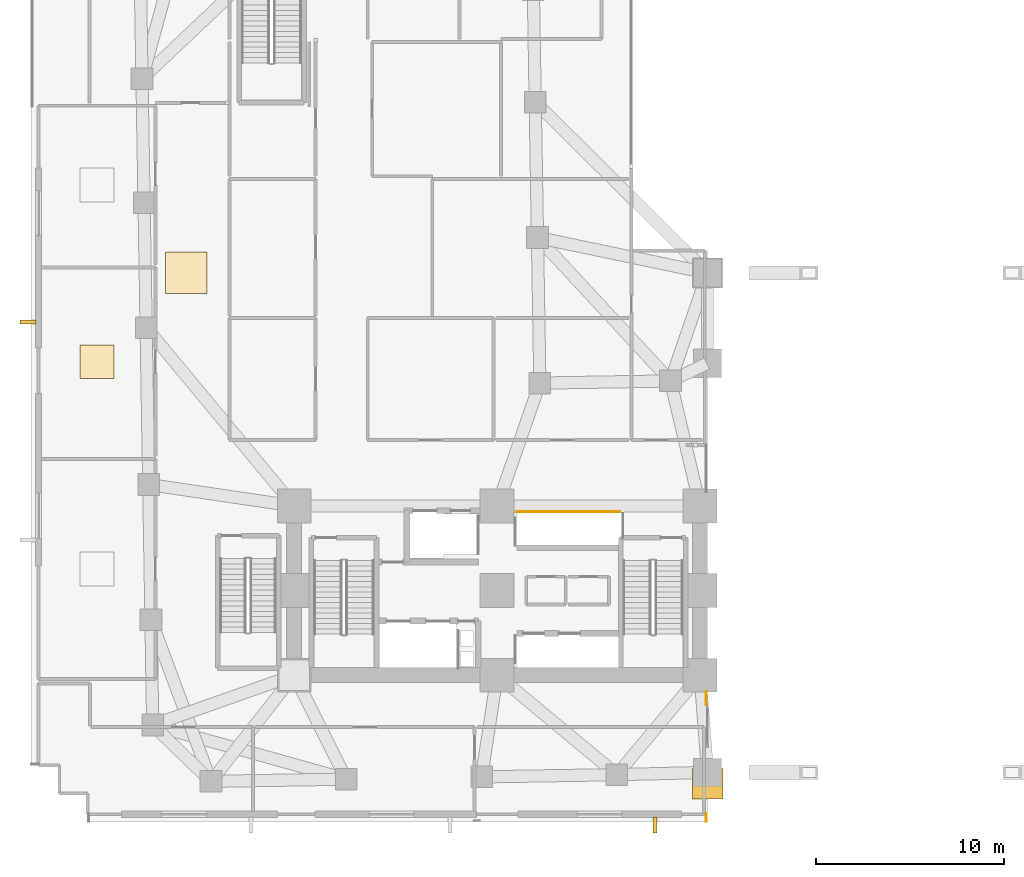
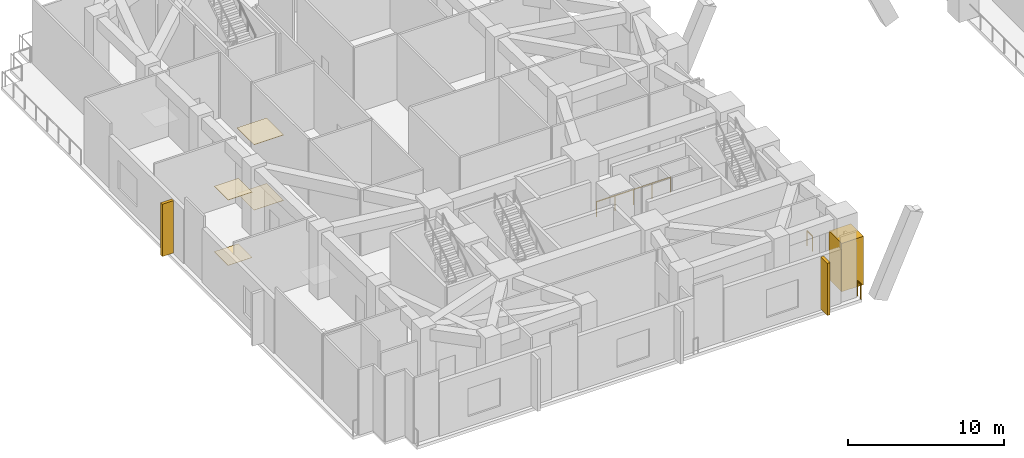
# One storey, part 14 of 18: 5 coverings, 3 railings, 2 shading devices.
"""IFC4 building model written with IfcOpenShell, lengths in metres."""

from ifc_helpers import new_model, si_unit, direction, frame, origin, origin_2d, place, context, subcontext, project, spatial, rectangle, circle, extrude, material, layer, layer_set, type_object, element, save


model = new_model("IFC4")

# Units and contexts
model_context = context("Model", 3, precision=1e-05, world=origin(), true_north=direction((0.0, 1.0)))
body_context = subcontext(model_context, "Body", "Model", "MODEL_VIEW")
ifc_project = project(units=[si_unit("LENGTHUNIT", "METRE"), si_unit("AREAUNIT", "SQUARE_METRE"), si_unit("VOLUMEUNIT", "CUBIC_METRE"), si_unit("PLANEANGLEUNIT", "RADIAN"), si_unit("MASSUNIT", "GRAM", prefix="KILO")], contexts=[model_context])

# Site, building, storey
site_placement = place(None, origin())
site = spatial("IfcSite", under=ifc_project, at=site_placement, CompositionType="ELEMENT")
building_placement = place(site_placement, origin())
building = spatial("IfcBuilding", under=site, at=building_placement, Name="Gaonmaruhae Medical Tower", CompositionType="ELEMENT")
storey_placement = place(building_placement, frame((0.0, 0.0, 16.199951171875)))
storey = spatial("IfcBuildingStorey", under=building, at=storey_placement, Name="L03", CompositionType="ELEMENT", Elevation=16.199951171875)

# Coverings
ifc_material_1 = material(Name="Architectural precast column cladding", Category="concrete")
ifc_layer_1 = layer(ifc_material_1, 0.06005859375)
ifc_layer_set_1 = layer_set([ifc_layer_1], Name="Architectural precast column cladding")
covering_type_1 = type_object("IfcCoveringType", Name="CLD-01 Architectural Precast Pier Cladding", PredefinedType="CLADDING", material=ifc_layer_set_1)
covering_1_placement = place(storey_placement, frame((36.0, 2.02001953125, 0.10009765625), z_axis=(0.0, 0.0, 1.0), x_axis=(1.0, 0.0, 0.0)))
element("IfcCovering", 1, at=covering_1_placement, inside=storey, type_object=covering_type_1, Name="L03 Architectural Precast Column Cladding 1", PredefinedType="CLADDING", context=body_context, shape_type="SweptSolid", body=[
    extrude(rectangle(XDim=1.6201171875, YDim=1.6201171875, at=origin_2d()), origin(), (0.0, 0.0, 1.0), 3.800048828125),
])
ifc_material_2 = material(Name="Acoustic mineral ceiling tile", Category="finish")
ifc_layer_2 = layer(ifc_material_2, 0.02490234375)
ifc_layer_set_2 = layer_set([ifc_layer_2], Name="Acoustic mineral ceiling tile")
covering_type_2 = type_object("IfcCoveringType", Name="CLG-01 Antimicrobial Acoustic Mineral Ceiling", PredefinedType="CEILING", material=ifc_layer_set_2)
covering_2_placement = place(storey_placement, frame((8.25, 29.205078125, 5.125), z_axis=(0.0, 0.0, 1.0), x_axis=(1.0, 0.0, 0.0)))
element("IfcCovering", 2, at=covering_2_placement, inside=storey, type_object=covering_type_2, Name="L03 Clinical Corridor Acoustic Ceiling", PredefinedType="CEILING", context=body_context, shape_type="SweptSolid", body=[
    extrude(rectangle(XDim=2.199951171875, YDim=2.199951171875, at=origin_2d()), origin(), (0.0, 0.0, 1.0), 0.02490234375),
])
covering_3_placement = place(storey_placement, frame((3.510009765625, 24.47509765625, 5.125), z_axis=(0.0, 0.0, 1.0), x_axis=(1.0, 0.0, 0.0)))
element("IfcCovering", 3, at=covering_3_placement, inside=storey, type_object=covering_type_2, Name="L03 Clinical Room Acoustic Ceiling 3", PredefinedType="CEILING", context=body_context, shape_type="SweptSolid", body=[
    extrude(rectangle(XDim=1.800048828125, YDim=1.800048828125, at=origin_2d()), origin(), (0.0, 0.0, 1.0), 0.02490234375),
])
ifc_material_3 = material(Name="Seamless clinical vinyl flooring", Category="finish")
ifc_layer_3 = layer(ifc_material_3, 0.014892578125)
ifc_layer_set_3 = layer_set([ifc_layer_3], Name="Seamless clinical vinyl flooring")
covering_type_3 = type_object("IfcCoveringType", Name="FLR-01 Seamless Clinical Antistatic Vinyl Flooring", PredefinedType="FLOORING", material=ifc_layer_set_3)
covering_4_placement = place(storey_placement, frame((8.25, 29.205078125, 0.00048828125), z_axis=(0.0, 0.0, 1.0), x_axis=(1.0, 0.0, 0.0)))
element("IfcCovering", 4, at=covering_4_placement, inside=storey, type_object=covering_type_3, Name="L03 Clinical Corridor Vinyl Flooring", PredefinedType="FLOORING", context=body_context, shape_type="SweptSolid", body=[
    extrude(rectangle(XDim=2.199951171875, YDim=2.199951171875, at=origin_2d()), origin(), (0.0, 0.0, 1.0), 0.014892578125),
])
covering_5_placement = place(storey_placement, frame((3.510009765625, 24.47509765625, 0.0), z_axis=(0.0, 0.0, 1.0), x_axis=(1.0, 0.0, 0.0)))
element("IfcCovering", 5, at=covering_5_placement, inside=storey, type_object=covering_type_3, Name="L03 Clinical Room Vinyl Flooring 3", PredefinedType="FLOORING", context=body_context, shape_type="SweptSolid", body=[
    extrude(rectangle(XDim=1.800048828125, YDim=1.800048828125, at=origin_2d()), origin(), (0.0, 0.0, 1.0), 0.014892578125),
])

# Railings
ifc_material_4 = material(Name="Stainless steel 316L and laminated safety glass", Category="steel")
ifc_layer_4 = layer(ifc_material_4, 0.080078125)
ifc_layer_set_4 = layer_set([ifc_layer_4], Name="Stainless steel 316L and laminated safety glass")
railing_type_1 = type_object("IfcRailingType", Name="GD-120 Outdoor Terrace Safety Glass & Steel Balustrade", PredefinedType="BALUSTRADE", material=ifc_layer_set_4)
railing_1_placement = place(storey_placement, frame((35.929931640625, 6.91552734375, 0.0)))
element("IfcRailing", 6, at=railing_1_placement, inside=storey, type_object=railing_type_1, Name="L03 Perimeter Slab Edge Safety Balustrade 14", PredefinedType="BALUSTRADE", context=body_context, shape_type="SweptSolid", body=[
    extrude(circle(Radius=0.02392578125, at=origin_2d()), frame((0.0, 0.0, 1.17578125), z_axis=(0.0, -1.0, 0.0), x_axis=(1.0, 0.0, 0.0)), (0.0, 0.0, 1.0), 0.69970703125),
    extrude(circle(Radius=0.02099609375, at=origin_2d()), origin(), (0.0, 0.0, 1.0), 1.15185546875),
    extrude(circle(Radius=0.02099609375, at=origin_2d()), frame((0.0, -0.69970703125, 0.0)), (0.0, 0.0, 1.0), 1.15185546875),
])
railing_2_placement = place(storey_placement, frame((35.929931640625, 0.439697265625, 0.0)))
element("IfcRailing", 7, at=railing_2_placement, inside=storey, type_object=railing_type_1, Name="L03 Perimeter Slab Edge Safety Balustrade 15", PredefinedType="BALUSTRADE", context=body_context, shape_type="SweptSolid", body=[
    extrude(circle(Radius=0.02392578125, at=origin_2d()), frame((0.0, 0.0, 1.17578125), z_axis=(0.0, -1.0, 0.0), x_axis=(1.0, 0.0, 0.0)), (0.0, 0.0, 1.0), 0.419677734375),
    extrude(circle(Radius=0.02099609375, at=origin_2d()), origin(), (0.0, 0.0, 1.0), 1.15185546875),
    extrude(circle(Radius=0.02099609375, at=origin_2d()), frame((0.0, -0.419677734375, 0.0)), (0.0, 0.0, 1.0), 1.15185546875),
])

# Shading devices
ifc_material_5 = material(Name="Pigmented coral precast concrete C45/55", Category="concrete")
shading_device_type = type_object("IfcShadingDeviceType", Name="SD-FIN2 Podium Vertical Coral Precast Shading Fin", PredefinedType="USERDEFINED", material=ifc_material_5)
for number, where, z_axis, x_axis, name in (
    (8, (33.199951171875, -0.1650390625, 0.06494140625), (0.0, 0.0, 1.0), (-1.0, 0.0, 0.0), "L03 Podium Coral Precast Shading Fin PB-S3"),
    (9, (-0.1650390625, 26.60009765625, 0.06494140625), (0.0, 0.0, 1.0), (0.0, 1.0, 0.0), "L03 Podium Coral Precast Shading Fin PB-W2"),
):
    element("IfcShadingDevice", number, at=place(storey_placement, frame(where, z_axis=z_axis, x_axis=x_axis)), inside=storey, type_object=shading_device_type, Name=name, ObjectType="FIN", PredefinedType="USERDEFINED", context=body_context, shape_type="SweptSolid", body=[
        extrude(rectangle(XDim=0.219970703125, YDim=0.85009765625, at=origin_2d()), origin(), (0.0, 0.0, 1.0), 4.10009765625),
    ])

# Railing
ifc_material_6 = material(Name="Stainless steel 304 balustrade", Category="steel")
railing_type_2 = type_object("IfcRailingType", Name="SG-112 Stair Well & Ramp Void Safety Balustrade", PredefinedType="BALUSTRADE", material=ifc_material_6)
railing_3_placement = place(storey_placement, frame((25.844970703125, 16.4951171875, 0.0)))
element("IfcRailing", 10, at=railing_3_placement, inside=storey, type_object=railing_type_2, Name="L03 Shaft Edge Safety Guard 22", PredefinedType="BALUSTRADE", context=body_context, shape_type="SweptSolid", body=[
    extrude(circle(Radius=0.02392578125, at=origin_2d()), frame((0.0, 0.0, 1.17578125), z_axis=(1.0, 0.0, 0.0), x_axis=(0.0, 1.0, 0.0)), (0.0, 0.0, 1.0), 5.485107421875),
    extrude(circle(Radius=0.02099609375, at=origin_2d()), origin(), (0.0, 0.0, 1.0), 1.15185546875),
    extrude(circle(Radius=0.02099609375, at=origin_2d()), frame((1.371337890625, 0.0, 0.0)), (0.0, 0.0, 1.0), 1.15185546875),
    extrude(circle(Radius=0.02099609375, at=origin_2d()), frame((2.74267578125, 0.0, 0.0)), (0.0, 0.0, 1.0), 1.15185546875),
    extrude(circle(Radius=0.02099609375, at=origin_2d()), frame((4.11376953125, 0.0, 0.0)), (0.0, 0.0, 1.0), 1.15185546875),
    extrude(circle(Radius=0.02099609375, at=origin_2d()), frame((5.485107421875, 0.0, 0.0)), (0.0, 0.0, 1.0), 1.15185546875),
])

save(model, "model.ifc")
